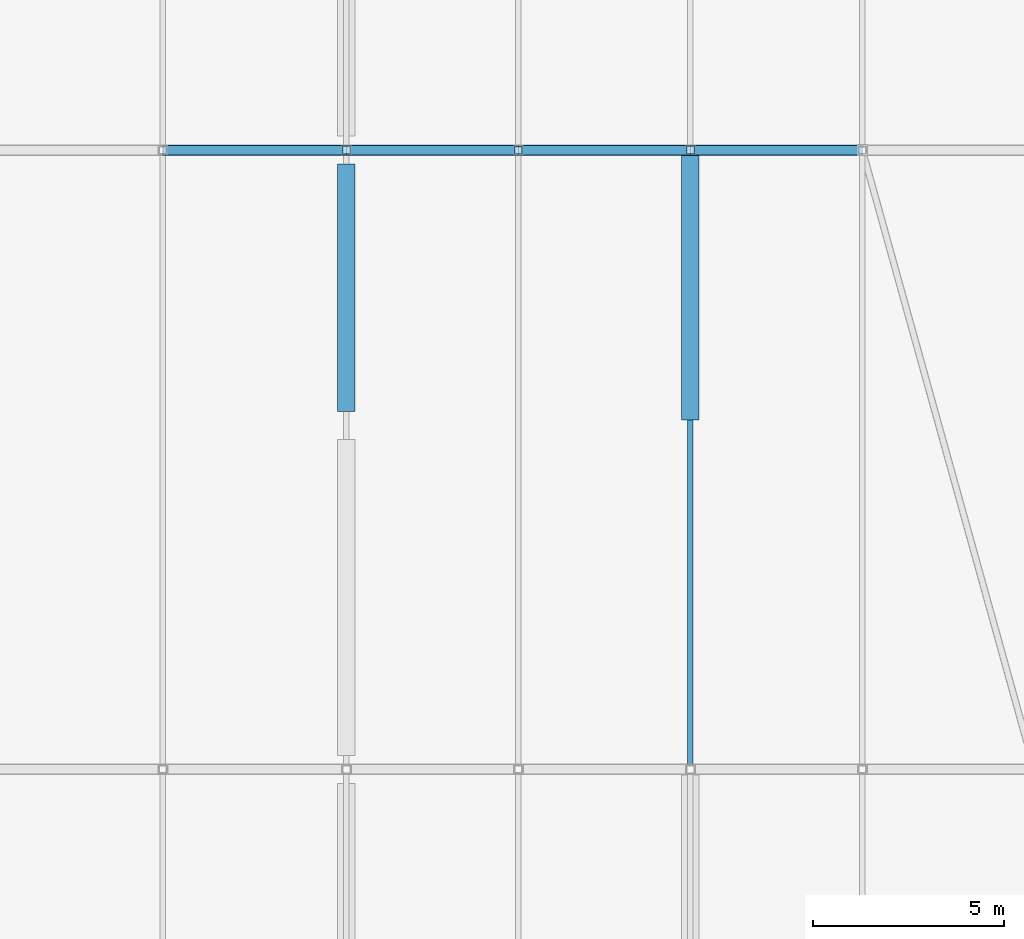
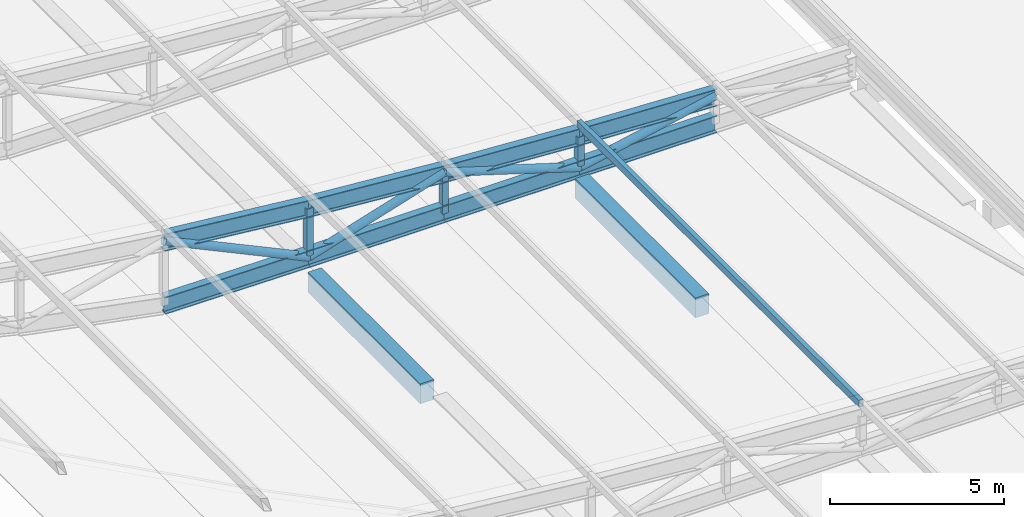
# One storey, part 55 of 114: 10 beams, 8 members.
"""IFC4 building model written with IfcOpenShell, lengths in metres."""

from ifc_helpers import new_model, si_unit, direction, frame, origin, origin_2d, place, context, subcontext, project, spatial, rectangle, hollow_rectangle, hollow_circle, i_section, extrude, material, material_profile, profile_set, type_object, element, save


model = new_model("IFC4")

# Units and contexts
model_context = context("Model", 3, precision=1e-05, world=origin(), true_north=direction((0.0, 1.0)))
body_context = subcontext(model_context, "Body", "Model", "MODEL_VIEW")
ifc_project = project(units=[si_unit("LENGTHUNIT", "METRE"), si_unit("AREAUNIT", "SQUARE_METRE"), si_unit("VOLUMEUNIT", "CUBIC_METRE"), si_unit("PLANEANGLEUNIT", "RADIAN"), si_unit("MASSUNIT", "GRAM", prefix="KILO"), si_unit("THERMODYNAMICTEMPERATUREUNIT", "KELVIN"), si_unit("POWERUNIT", "WATT")], contexts=[model_context])

# Site, building, storey
site_placement = place(None, origin())
site = spatial("IfcSite", under=ifc_project, at=site_placement, CompositionType="ELEMENT")
building_placement = place(site_placement, origin())
building = spatial("IfcBuilding", under=site, at=building_placement, Name="Sindhuravela Promenade Stadium", CompositionType="ELEMENT")
storey_placement = place(building_placement, frame((0.0, 0.0, 24.0)))
storey = spatial("IfcBuildingStorey", under=building, at=storey_placement, Name="L05", CompositionType="ELEMENT", Elevation=24.0)

# Beams
ifc_material_1 = material(Name="Concrete M40", Category="concrete")
ifc_material_profile_1 = material_profile(ifc_material_1, rectangle(XDim=0.449951171875, YDim=0.699951171875, at=origin_2d()), Name="RC 450x700")
ifc_profile_set_1 = profile_set([ifc_material_profile_1], Name="Concrete M40")
beam_type_1 = type_object("IfcBeamType", Name="RC-BM-450x700", PredefinedType="BEAM", material=ifc_profile_set_1)
beam_1_placement = place(storey_placement, frame((180.0, 77.764892578125, -0.594970703125), z_axis=(0.0, 1.0, 0.0), x_axis=(-1.0, 0.0, 0.0)))
element("IfcBeam", 1, at=beam_1_placement, inside=storey, type_object=beam_type_1, Name="Primary beam GB07 EAST L05", PredefinedType="BEAM", context=body_context, shape_type="SweptSolid", body=[
    extrude(rectangle(XDim=0.449951171875, YDim=0.699951171875, at=origin_2d()), origin(), (0.0, 0.0, 1.0), 6.47021484375),
])
beam_2_placement = place(storey_placement, frame((189.0, 77.5400390625, -0.594970703125), z_axis=(0.0, 1.0, 0.0), x_axis=(-1.0, 0.0, 0.0)))
element("IfcBeam", 2, at=beam_2_placement, inside=storey, type_object=beam_type_1, Name="Primary beam GB07 EAST L05", PredefinedType="BEAM", context=body_context, shape_type="SweptSolid", body=[
    extrude(rectangle(XDim=0.449951171875, YDim=0.699951171875, at=origin_2d()), origin(), (0.0, 0.0, 1.0), 6.919921875),
])
ifc_material_2 = material(Name="Steel E350 (IS 2062 E350BR)", Category="steel")
ifc_material_profile_2 = material_profile(ifc_material_2, i_section(OverallWidth=0.25, OverallDepth=0.60009765625, WebThickness=0.01171875, FlangeThickness=0.023681640625, FilletRadius=0.01708984375, at=origin_2d()), Name="ISWB 600")
ifc_profile_set_2 = profile_set([ifc_material_profile_2], Name="Steel E350 (IS 2062 E350BR)")
beam_type_2 = type_object("IfcBeamType", Name="ST-BM-WB600", PredefinedType="USERDEFINED", material=ifc_profile_set_2)
beam_3_placement = place(storey_placement, frame((193.5, 84.60009765625, 0.9306640625), z_axis=(-0.9990310406412204, 0.0, 0.04401113308380376), x_axis=(0.0, -1.0, 0.0)))
element("IfcBeam", 3, at=beam_3_placement, inside=storey, type_object=beam_type_2, Name="Roof truss RT-E05 top chord 2", ObjectType="ROOF TRUSS", PredefinedType="USERDEFINED", context=body_context, shape_type="SweptSolid", body=[
    extrude(i_section(OverallWidth=0.25, OverallDepth=0.60009765625, WebThickness=0.01171875, FlangeThickness=0.023681640625, FilletRadius=0.01708984375, at=origin_2d()), origin(), (0.0, 0.0, 1.0), 4.50439453125),
])
beam_4_placement = place(storey_placement, frame((193.5, 84.60009765625, 0.0), z_axis=(-1.0, 0.0, 0.0), x_axis=(0.0, -1.0, 0.0)))
element("IfcBeam", 4, at=beam_4_placement, inside=storey, type_object=beam_type_2, Name="Roof truss RT-E05 bottom chord 2", ObjectType="ROOF TRUSS", PredefinedType="USERDEFINED", context=body_context, shape_type="SweptSolid", body=[
    extrude(i_section(OverallWidth=0.25, OverallDepth=0.60009765625, WebThickness=0.01171875, FlangeThickness=0.023681640625, FilletRadius=0.01708984375, at=origin_2d()), origin(), (0.0, 0.0, 1.0), 4.5),
])
beam_5_placement = place(storey_placement, frame((189.0, 84.60009765625, 1.12890625), z_axis=(-0.9981720622420935, 0.0, 0.06043619908106426), x_axis=(0.0, -1.0, 0.0)))
element("IfcBeam", 5, at=beam_5_placement, inside=storey, type_object=beam_type_2, Name="Roof truss RT-E05 top chord 3", ObjectType="ROOF TRUSS", PredefinedType="USERDEFINED", context=body_context, shape_type="SweptSolid", body=[
    extrude(i_section(OverallWidth=0.25, OverallDepth=0.60009765625, WebThickness=0.01171875, FlangeThickness=0.023681640625, FilletRadius=0.01708984375, at=origin_2d()), origin(), (0.0, 0.0, 1.0), 4.50830078125),
])
beam_6_placement = place(storey_placement, frame((189.0, 84.60009765625, 0.0), z_axis=(-1.0, 0.0, 0.0), x_axis=(0.0, -1.0, 0.0)))
element("IfcBeam", 6, at=beam_6_placement, inside=storey, type_object=beam_type_2, Name="Roof truss RT-E05 bottom chord 3", ObjectType="ROOF TRUSS", PredefinedType="USERDEFINED", context=body_context, shape_type="SweptSolid", body=[
    extrude(i_section(OverallWidth=0.25, OverallDepth=0.60009765625, WebThickness=0.01171875, FlangeThickness=0.023681640625, FilletRadius=0.01708984375, at=origin_2d()), origin(), (0.0, 0.0, 1.0), 4.5),
])
beam_7_placement = place(storey_placement, frame((184.5, 84.60009765625, 1.4013671875), z_axis=(-0.9968775679455489, 0.0, 0.07896274138457582), x_axis=(0.0, -1.0, 0.0)))
element("IfcBeam", 7, at=beam_7_placement, inside=storey, type_object=beam_type_2, Name="Roof truss RT-E05 top chord 4", ObjectType="ROOF TRUSS", PredefinedType="USERDEFINED", context=body_context, shape_type="SweptSolid", body=[
    extrude(i_section(OverallWidth=0.25, OverallDepth=0.60009765625, WebThickness=0.01171875, FlangeThickness=0.023681640625, FilletRadius=0.01708984375, at=origin_2d()), origin(), (0.0, 0.0, 1.0), 4.51416015625),
])
beam_8_placement = place(storey_placement, frame((184.5, 84.60009765625, 0.0), z_axis=(-1.0, 0.0, 0.0), x_axis=(0.0, -1.0, 0.0)))
element("IfcBeam", 8, at=beam_8_placement, inside=storey, type_object=beam_type_2, Name="Roof truss RT-E05 bottom chord 4", ObjectType="ROOF TRUSS", PredefinedType="USERDEFINED", context=body_context, shape_type="SweptSolid", body=[
    extrude(i_section(OverallWidth=0.25, OverallDepth=0.60009765625, WebThickness=0.01171875, FlangeThickness=0.023681640625, FilletRadius=0.01708984375, at=origin_2d()), origin(), (0.0, 0.0, 1.0), 4.5),
])
beam_9_placement = place(storey_placement, frame((180.0, 84.60009765625, 1.7578125), z_axis=(-0.9947943351162852, 0.0, 0.10190304617894301), x_axis=(0.0, -1.0, 0.0)))
element("IfcBeam", 9, at=beam_9_placement, inside=storey, type_object=beam_type_2, Name="Roof truss RT-E05 top chord 5", ObjectType="ROOF TRUSS", PredefinedType="USERDEFINED", context=body_context, shape_type="SweptSolid", body=[
    extrude(i_section(OverallWidth=0.25, OverallDepth=0.60009765625, WebThickness=0.01171875, FlangeThickness=0.023681640625, FilletRadius=0.01708984375, at=origin_2d()), origin(), (0.0, 0.0, 1.0), 4.8251953125),
])
beam_10_placement = place(storey_placement, frame((180.0, 84.60009765625, 0.0), z_axis=(-0.9999778033758007, 0.0, 0.006662788883690041), x_axis=(0.0, -1.0, 0.0)))
element("IfcBeam", 10, at=beam_10_placement, inside=storey, type_object=beam_type_2, Name="Roof truss RT-E05 bottom chord 5", ObjectType="ROOF TRUSS", PredefinedType="USERDEFINED", context=body_context, shape_type="SweptSolid", body=[
    extrude(i_section(OverallWidth=0.25, OverallDepth=0.60009765625, WebThickness=0.01171875, FlangeThickness=0.023681640625, FilletRadius=0.01708984375, at=origin_2d()), origin(), (0.0, 0.0, 1.0), 4.800048828125),
])

# Members
ifc_material_profile_3 = material_profile(ifc_material_2, hollow_circle(Radius=0.136474609375, WallThickness=0.010009765625, at=origin_2d()), Name="CHS 273.0x10")
ifc_profile_set_3 = profile_set([ifc_material_profile_3], Name="Steel E350 (IS 2062 E350BR)")
member_type_1 = type_object("IfcMemberType", Name="ST-MB-CHS273", PredefinedType="BRACE", material=ifc_profile_set_3)
member_1_placement = place(storey_placement, frame((193.5, 84.60009765625, 0.9306640625), z_axis=(-0.9792764097222669, 0.0, -0.2025283026183421), x_axis=(0.0, -1.0, 0.0)))
element("IfcMember", 11, at=member_1_placement, inside=storey, type_object=member_type_1, Name="Roof truss RT-E05 diagonal web 2", PredefinedType="BRACE", context=body_context, shape_type="SweptSolid", body=[
    extrude(hollow_circle(Radius=0.136474609375, WallThickness=0.010009765625, at=origin_2d()), origin(), (0.0, 0.0, 1.0), 4.59521484375),
])
for number, where, z_axis, x_axis, name in (
    (12, (189.0, 84.60009765625, 0.0), (-0.9547744570376746, 0.0, 0.2973310212346057), (0.0, -1.0, 0.0), "Roof truss RT-E05 diagonal web 3"),
    (13, (184.5, 84.60009765625, 1.4013671875), (-0.9547744570376746, 0.0, -0.2973310212346057), (0.0, -1.0, 0.0), "Roof truss RT-E05 diagonal web 4"),
):
    element("IfcMember", number, at=place(storey_placement, frame(where, z_axis=z_axis, x_axis=x_axis)), inside=storey, type_object=member_type_1, Name=name, PredefinedType="BRACE", context=body_context, shape_type="SweptSolid", body=[
        extrude(hollow_circle(Radius=0.136474609375, WallThickness=0.010009765625, at=origin_2d()), origin(), (0.0, 0.0, 1.0), 4.713134765625),
    ])
member_2_placement = place(storey_placement, frame((180.0, 84.60009765625, 0.0), z_axis=(-0.9054959907272458, 0.0, 0.4243548170775059), x_axis=(0.0, -1.0, 0.0)))
element("IfcMember", 14, at=member_2_placement, inside=storey, type_object=member_type_1, Name="Roof truss RT-E05 diagonal web 5", PredefinedType="BRACE", context=body_context, shape_type="SweptSolid", body=[
    extrude(hollow_circle(Radius=0.136474609375, WallThickness=0.010009765625, at=origin_2d()), origin(), (0.0, 0.0, 1.0), 5.301025390625),
])
ifc_material_profile_4 = material_profile(ifc_material_2, hollow_rectangle(XDim=0.14990234375, YDim=0.25, WallThickness=0.010009765625, at=origin_2d()), Name="RHS 250x150x10")
ifc_profile_set_4 = profile_set([ifc_material_profile_4], Name="Steel E350 (IS 2062 E350BR)")
member_type_2 = type_object("IfcMemberType", Name="ST-MB-RHS250", PredefinedType="PURLIN", material=ifc_profile_set_4)
member_3_placement = place(storey_placement, frame((189.0, 68.39990234375, 1.52099609375), z_axis=(0.0, 1.0, 0.0), x_axis=(-1.0, 0.0, 0.0)))
element("IfcMember", 15, at=member_3_placement, inside=storey, type_object=member_type_2, Name="Roof purlin PR01 E bay 4.3", PredefinedType="PURLIN", context=body_context, shape_type="SweptSolid", body=[
    extrude(hollow_rectangle(XDim=0.14990234375, YDim=0.25, WallThickness=0.010009765625, at=origin_2d()), origin(), (0.0, 0.0, 1.0), 16.2001953125),
])
ifc_material_profile_5 = material_profile(ifc_material_2, hollow_rectangle(XDim=0.199951171875, YDim=0.199951171875, WallThickness=0.010009765625, at=origin_2d()), Name="SHS 200x200x10")
ifc_profile_set_5 = profile_set([ifc_material_profile_5], Name="Steel E350 (IS 2062 E350BR)")
member_type_3 = type_object("IfcMemberType", Name="ST-MB-SHS200", PredefinedType="POST", material=ifc_profile_set_5)
member_4_placement = place(storey_placement, frame((184.5, 84.60009765625, 0.0), z_axis=(0.0, 0.0, 1.0), x_axis=(1.0, 0.0, 0.0)))
element("IfcMember", 16, at=member_4_placement, inside=storey, type_object=member_type_3, Name="Roof truss RT-E05 vertical post 4", PredefinedType="POST", context=body_context, shape_type="SweptSolid", body=[
    extrude(hollow_rectangle(XDim=0.199951171875, YDim=0.199951171875, WallThickness=0.010009765625, at=origin_2d()), origin(), (0.0, 0.0, 1.0), 1.4013671875),
])
ifc_material_profile_6 = material_profile(ifc_material_2, hollow_rectangle(XDim=0.219970703125, YDim=0.219970703125, WallThickness=0.011962890625, at=origin_2d()), Name="SHS 220x220x12")
ifc_profile_set_6 = profile_set([ifc_material_profile_6], Name="Steel E350 (IS 2062 E350BR)")
member_type_4 = type_object("IfcMemberType", Name="ST-MB-SHS220", PredefinedType="POST", material=ifc_profile_set_6)
member_5_placement = place(storey_placement, frame((189.0, 84.60009765625, 0.0), z_axis=(0.0, 0.0, 1.0), x_axis=(1.0, 0.0, 0.0)))
element("IfcMember", 17, at=member_5_placement, inside=storey, type_object=member_type_4, Name="Roof truss RT-E05 vertical post 3", PredefinedType="POST", context=body_context, shape_type="SweptSolid", body=[
    extrude(hollow_rectangle(XDim=0.219970703125, YDim=0.219970703125, WallThickness=0.011962890625, at=origin_2d()), origin(), (0.0, 0.0, 1.0), 1.12890625),
])
member_6_placement = place(storey_placement, frame((180.0, 84.60009765625, 0.0), z_axis=(0.0, 0.0, 1.0), x_axis=(1.0, 0.0, 0.0)))
element("IfcMember", 18, at=member_6_placement, inside=storey, type_object=member_type_4, Name="Roof truss RT-E05 vertical post 5", PredefinedType="POST", context=body_context, shape_type="SweptSolid", body=[
    extrude(hollow_rectangle(XDim=0.219970703125, YDim=0.219970703125, WallThickness=0.011962890625, at=origin_2d()), origin(), (0.0, 0.0, 1.0), 1.7578125),
])

save(model, "model.ifc")
